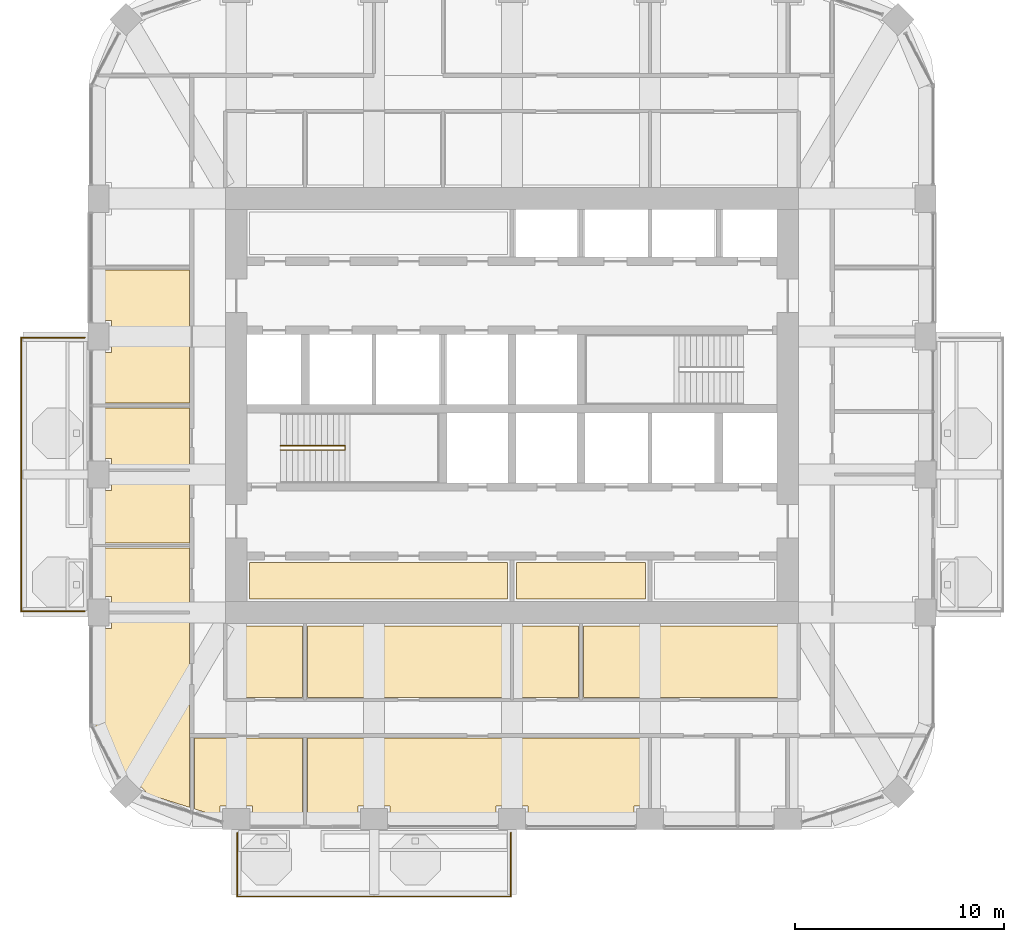
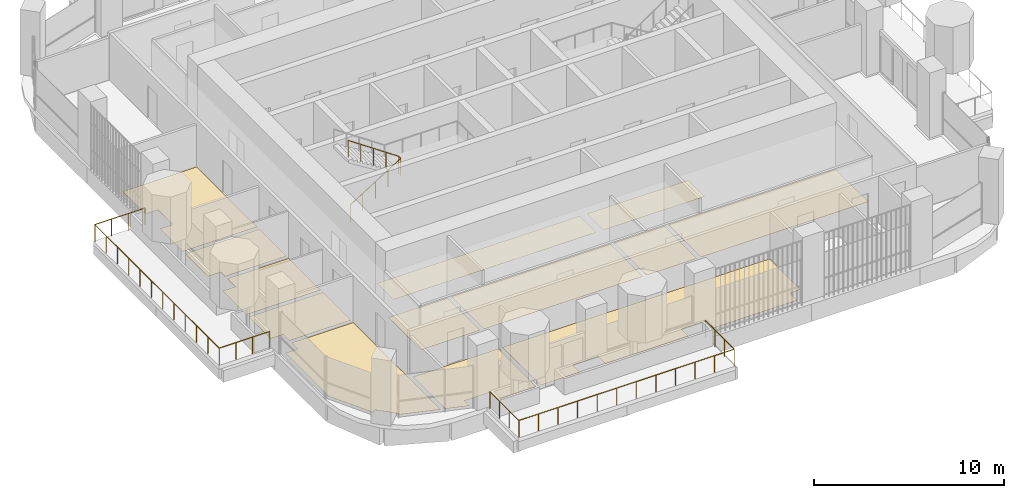
# One storey, part 16 of 19: 13 coverings, 3 railings.
"""IFC4 building model written with IfcOpenShell, lengths in metres."""

from ifc_helpers import new_model, si_unit, direction, frame, origin, place, context, subcontext, project, spatial, polyline, outline, extrude, material, layer, layer_set, type_object, element, save


model = new_model("IFC4")

# Units and contexts
model_context = context("Model", 3, precision=1e-05, world=origin(), true_north=direction((0.0, 1.0)))
body_context = subcontext(model_context, "Body", "Model", "MODEL_VIEW")
ifc_project = project(units=[si_unit("LENGTHUNIT", "METRE"), si_unit("AREAUNIT", "SQUARE_METRE"), si_unit("VOLUMEUNIT", "CUBIC_METRE"), si_unit("PLANEANGLEUNIT", "RADIAN"), si_unit("MASSUNIT", "GRAM", prefix="KILO")], contexts=[model_context])

# Site, building, storey
site_placement = place(None, origin())
site = spatial("IfcSite", under=ifc_project, at=site_placement, CompositionType="ELEMENT")
building_placement = place(site_placement, origin())
building = spatial("IfcBuilding", under=site, at=building_placement, Name="Cobogo Forest Laboratory Tower", CompositionType="ELEMENT")
storey_placement = place(building_placement, frame((0.0, 0.0, 237.60009765625)))
storey = spatial("IfcBuildingStorey", under=building, at=storey_placement, Name="L54", CompositionType="ELEMENT", Elevation=237.60009765625)

# Railings
ifc_material_1 = material(Name="Laminated glass balustrade", Category="glass")
railing_type_1 = type_object("IfcRailingType", Name="BG1 glass balustrade 1100", PredefinedType="GUARDRAIL", material=ifc_material_1)
railing_1_placement = place(storey_placement, frame((13.25, 2.64990234375, 0.0)))
element("IfcRailing", 1, at=railing_1_placement, inside=storey, type_object=railing_type_1, Name="Balcony balustrade BAL-S1 L54", PredefinedType="GUARDRAIL", context=body_context, shape_type="SweptSolid", body=[
    extrude(outline(polyline([(0.022216796875, 0.00927734375), (0.00927734375, 0.022216796875), (-0.00927734375, 0.022216796875), (-0.022216796875, 0.00927734375), (-0.022216796875, -0.00927734375), (-0.00927734375, -0.022216796875), (0.00927734375, -0.022216796875), (0.022216796875, -0.00927734375), (0.022216796875, 0.00927734375)])), frame((0.0, 0.0, 1.077880859375), z_axis=(0.0, -1.0, 0.0), x_axis=(1.0, 0.0, 0.0)), (0.0, 0.0, 1.0), 3.0498046875),
    extrude(outline(polyline([(0.022216796875, 0.00927734375), (0.00927734375, 0.022216796875), (-0.00927734375, 0.022216796875), (-0.022216796875, 0.00927734375), (-0.022216796875, -0.00927734375), (-0.00927734375, -0.022216796875), (0.00927734375, -0.022216796875), (0.022216796875, -0.00927734375), (0.022216796875, 0.00927734375)])), frame((0.0, -3.0498046875, 1.077880859375), z_axis=(1.0, 0.0, 0.0), x_axis=(0.0, 1.0, 0.0)), (0.0, 0.0, 1.0), 13.10009765625),
    extrude(outline(polyline([(0.022216796875, 0.00927734375), (0.00927734375, 0.022216796875), (-0.00927734375, 0.022216796875), (-0.022216796875, 0.00927734375), (-0.022216796875, -0.00927734375), (-0.00927734375, -0.022216796875), (0.00927734375, -0.022216796875), (0.022216796875, -0.00927734375), (0.022216796875, 0.00927734375)])), frame((13.10009765625, -3.0498046875, 1.077880859375), z_axis=(0.0, 1.0, 0.0), x_axis=(-1.0, 0.0, 0.0)), (0.0, 0.0, 1.0), 3.0498046875),
    extrude(outline(polyline([(0.019287109375, 0.008056640625), (0.008056640625, 0.019287109375), (-0.008056640625, 0.019287109375), (-0.019287109375, 0.008056640625), (-0.019287109375, -0.008056640625), (-0.008056640625, -0.019287109375), (0.008056640625, -0.019287109375), (0.019287109375, -0.008056640625), (0.019287109375, 0.008056640625)])), origin(), (0.0, 0.0, 1.0), 1.077880859375),
    extrude(outline(polyline([(0.019287109375, 0.008056640625), (0.008056640625, 0.019287109375), (-0.008056640625, 0.019287109375), (-0.019287109375, 0.008056640625), (-0.019287109375, -0.008056640625), (-0.008056640625, -0.019287109375), (0.008056640625, -0.019287109375), (0.019287109375, -0.008056640625), (0.019287109375, 0.008056640625)])), frame((0.0, -1.0166015625, 0.0)), (0.0, 0.0, 1.0), 1.077880859375),
    extrude(outline(polyline([(0.019287109375, 0.008056640625), (0.008056640625, 0.019287109375), (-0.008056640625, 0.019287109375), (-0.019287109375, 0.008056640625), (-0.019287109375, -0.008056640625), (-0.008056640625, -0.019287109375), (0.008056640625, -0.019287109375), (0.019287109375, -0.008056640625), (0.019287109375, 0.008056640625)])), frame((0.0, -2.033203125, 0.0)), (0.0, 0.0, 1.0), 1.077880859375),
    extrude(outline(polyline([(0.019287109375, 0.008056640625), (0.008056640625, 0.019287109375), (-0.008056640625, 0.019287109375), (-0.019287109375, 0.008056640625), (-0.019287109375, -0.008056640625), (-0.008056640625, -0.019287109375), (0.008056640625, -0.019287109375), (0.019287109375, -0.008056640625), (0.019287109375, 0.008056640625)])), frame((0.0, -3.0498046875, 0.0)), (0.0, 0.0, 1.0), 1.077880859375),
    extrude(outline(polyline([(0.019287109375, 0.008056640625), (0.008056640625, 0.019287109375), (-0.008056640625, 0.019287109375), (-0.019287109375, 0.008056640625), (-0.019287109375, -0.008056640625), (-0.008056640625, -0.019287109375), (0.008056640625, -0.019287109375), (0.019287109375, -0.008056640625), (0.019287109375, 0.008056640625)])), frame((1.19091796875, -3.0498046875, 0.0)), (0.0, 0.0, 1.0), 1.077880859375),
    extrude(outline(polyline([(0.019287109375, 0.008056640625), (0.008056640625, 0.019287109375), (-0.008056640625, 0.019287109375), (-0.019287109375, 0.008056640625), (-0.019287109375, -0.008056640625), (-0.008056640625, -0.019287109375), (0.008056640625, -0.019287109375), (0.019287109375, -0.008056640625), (0.019287109375, 0.008056640625)])), frame((2.3818359375, -3.0498046875, 0.0)), (0.0, 0.0, 1.0), 1.077880859375),
    extrude(outline(polyline([(0.019287109375, 0.008056640625), (0.008056640625, 0.019287109375), (-0.008056640625, 0.019287109375), (-0.019287109375, 0.008056640625), (-0.019287109375, -0.008056640625), (-0.008056640625, -0.019287109375), (0.008056640625, -0.019287109375), (0.019287109375, -0.008056640625), (0.019287109375, 0.008056640625)])), frame((3.57275390625, -3.0498046875, 0.0)), (0.0, 0.0, 1.0), 1.077880859375),
    extrude(outline(polyline([(0.019287109375, 0.008056640625), (0.008056640625, 0.019287109375), (-0.008056640625, 0.019287109375), (-0.019287109375, 0.008056640625), (-0.019287109375, -0.008056640625), (-0.008056640625, -0.019287109375), (0.008056640625, -0.019287109375), (0.019287109375, -0.008056640625), (0.019287109375, 0.008056640625)])), frame((4.763671875, -3.0498046875, 0.0)), (0.0, 0.0, 1.0), 1.077880859375),
    extrude(outline(polyline([(0.019287109375, 0.008056640625), (0.008056640625, 0.019287109375), (-0.008056640625, 0.019287109375), (-0.019287109375, 0.008056640625), (-0.019287109375, -0.008056640625), (-0.008056640625, -0.019287109375), (0.008056640625, -0.019287109375), (0.019287109375, -0.008056640625), (0.019287109375, 0.008056640625)])), frame((5.95458984375, -3.0498046875, 0.0)), (0.0, 0.0, 1.0), 1.077880859375),
    extrude(outline(polyline([(0.019287109375, 0.008056640625), (0.008056640625, 0.019287109375), (-0.008056640625, 0.019287109375), (-0.019287109375, 0.008056640625), (-0.019287109375, -0.008056640625), (-0.008056640625, -0.019287109375), (0.008056640625, -0.019287109375), (0.019287109375, -0.008056640625), (0.019287109375, 0.008056640625)])), frame((7.1455078125, -3.0498046875, 0.0)), (0.0, 0.0, 1.0), 1.077880859375),
    extrude(outline(polyline([(0.019287109375, 0.008056640625), (0.008056640625, 0.019287109375), (-0.008056640625, 0.019287109375), (-0.019287109375, 0.008056640625), (-0.019287109375, -0.008056640625), (-0.008056640625, -0.019287109375), (0.008056640625, -0.019287109375), (0.019287109375, -0.008056640625), (0.019287109375, 0.008056640625)])), frame((8.33642578125, -3.0498046875, 0.0)), (0.0, 0.0, 1.0), 1.077880859375),
    extrude(outline(polyline([(0.019287109375, 0.008056640625), (0.008056640625, 0.019287109375), (-0.008056640625, 0.019287109375), (-0.019287109375, 0.008056640625), (-0.019287109375, -0.008056640625), (-0.008056640625, -0.019287109375), (0.008056640625, -0.019287109375), (0.019287109375, -0.008056640625), (0.019287109375, 0.008056640625)])), frame((9.52734375, -3.0498046875, 0.0)), (0.0, 0.0, 1.0), 1.077880859375),
    extrude(outline(polyline([(0.019287109375, 0.008056640625), (0.008056640625, 0.019287109375), (-0.008056640625, 0.019287109375), (-0.019287109375, 0.008056640625), (-0.019287109375, -0.008056640625), (-0.008056640625, -0.019287109375), (0.008056640625, -0.019287109375), (0.019287109375, -0.008056640625), (0.019287109375, 0.008056640625)])), frame((10.71826171875, -3.0498046875, 0.0)), (0.0, 0.0, 1.0), 1.077880859375),
    extrude(outline(polyline([(0.019287109375, 0.008056640625), (0.008056640625, 0.019287109375), (-0.008056640625, 0.019287109375), (-0.019287109375, 0.008056640625), (-0.019287109375, -0.008056640625), (-0.008056640625, -0.019287109375), (0.008056640625, -0.019287109375), (0.019287109375, -0.008056640625), (0.019287109375, 0.008056640625)])), frame((11.9091796875, -3.0498046875, 0.0)), (0.0, 0.0, 1.0), 1.077880859375),
    extrude(outline(polyline([(0.019287109375, 0.008056640625), (0.008056640625, 0.019287109375), (-0.008056640625, 0.019287109375), (-0.019287109375, 0.008056640625), (-0.019287109375, -0.008056640625), (-0.008056640625, -0.019287109375), (0.008056640625, -0.019287109375), (0.019287109375, -0.008056640625), (0.019287109375, 0.008056640625)])), frame((13.10009765625, -3.0498046875, 0.0)), (0.0, 0.0, 1.0), 1.077880859375),
    extrude(outline(polyline([(0.019287109375, 0.008056640625), (0.008056640625, 0.019287109375), (-0.008056640625, 0.019287109375), (-0.019287109375, 0.008056640625), (-0.019287109375, -0.008056640625), (-0.008056640625, -0.019287109375), (0.008056640625, -0.019287109375), (0.019287109375, -0.008056640625), (0.019287109375, 0.008056640625)])), frame((13.10009765625, -2.033203125, 0.0)), (0.0, 0.0, 1.0), 1.077880859375),
    extrude(outline(polyline([(0.019287109375, 0.008056640625), (0.008056640625, 0.019287109375), (-0.008056640625, 0.019287109375), (-0.019287109375, 0.008056640625), (-0.019287109375, -0.008056640625), (-0.008056640625, -0.019287109375), (0.008056640625, -0.019287109375), (0.019287109375, -0.008056640625), (0.019287109375, 0.008056640625)])), frame((13.10009765625, -1.0166015625, 0.0)), (0.0, 0.0, 1.0), 1.077880859375),
    extrude(outline(polyline([(0.019287109375, 0.008056640625), (0.008056640625, 0.019287109375), (-0.008056640625, 0.019287109375), (-0.019287109375, 0.008056640625), (-0.019287109375, -0.008056640625), (-0.008056640625, -0.019287109375), (0.008056640625, -0.019287109375), (0.019287109375, -0.008056640625), (0.019287109375, 0.008056640625)])), frame((13.10009765625, 0.0, 0.0)), (0.0, 0.0, 1.0), 1.077880859375),
])
railing_2_placement = place(storey_placement, frame((5.949951171875, 13.25, 0.0)))
element("IfcRailing", 2, at=railing_2_placement, inside=storey, type_object=railing_type_1, Name="Balcony balustrade BAL-W1 L54", PredefinedType="GUARDRAIL", context=body_context, shape_type="SweptSolid", body=[
    extrude(outline(polyline([(0.022216796875, 0.00927734375), (0.00927734375, 0.022216796875), (-0.00927734375, 0.022216796875), (-0.022216796875, 0.00927734375), (-0.022216796875, -0.00927734375), (-0.00927734375, -0.022216796875), (0.00927734375, -0.022216796875), (0.022216796875, -0.00927734375), (0.022216796875, 0.00927734375)])), frame((0.0, 0.0, 1.077880859375), z_axis=(-1.0, 0.0, 0.0), x_axis=(0.0, -1.0, 0.0)), (0.0, 0.0, 1.0), 3.050048828125),
    extrude(outline(polyline([(0.022216796875, 0.00927734375), (0.00927734375, 0.022216796875), (-0.00927734375, 0.022216796875), (-0.022216796875, 0.00927734375), (-0.022216796875, -0.00927734375), (-0.00927734375, -0.022216796875), (0.00927734375, -0.022216796875), (0.022216796875, -0.00927734375), (0.022216796875, 0.00927734375)])), frame((-3.050048828125, 0.0, 1.077880859375), z_axis=(0.0, 1.0, 0.0), x_axis=(-1.0, 0.0, 0.0)), (0.0, 0.0, 1.0), 13.10009765625),
    extrude(outline(polyline([(0.022216796875, 0.00927734375), (0.00927734375, 0.022216796875), (-0.00927734375, 0.022216796875), (-0.022216796875, 0.00927734375), (-0.022216796875, -0.00927734375), (-0.00927734375, -0.022216796875), (0.00927734375, -0.022216796875), (0.022216796875, -0.00927734375), (0.022216796875, 0.00927734375)])), frame((-3.050048828125, 13.10009765625, 1.077880859375), z_axis=(1.0, 0.0, 0.0), x_axis=(0.0, 1.0, 0.0)), (0.0, 0.0, 1.0), 3.050048828125),
    extrude(outline(polyline([(0.019287109375, 0.008056640625), (0.008056640625, 0.019287109375), (-0.008056640625, 0.019287109375), (-0.019287109375, 0.008056640625), (-0.019287109375, -0.008056640625), (-0.008056640625, -0.019287109375), (0.008056640625, -0.019287109375), (0.019287109375, -0.008056640625), (0.019287109375, 0.008056640625)])), origin(), (0.0, 0.0, 1.0), 1.077880859375),
    extrude(outline(polyline([(0.019287109375, 0.008056640625), (0.008056640625, 0.019287109375), (-0.008056640625, 0.019287109375), (-0.019287109375, 0.008056640625), (-0.019287109375, -0.008056640625), (-0.008056640625, -0.019287109375), (0.008056640625, -0.019287109375), (0.019287109375, -0.008056640625), (0.019287109375, 0.008056640625)])), frame((-1.0166015625, 0.0, 0.0)), (0.0, 0.0, 1.0), 1.077880859375),
    extrude(outline(polyline([(0.019287109375, 0.008056640625), (0.008056640625, 0.019287109375), (-0.008056640625, 0.019287109375), (-0.019287109375, 0.008056640625), (-0.019287109375, -0.008056640625), (-0.008056640625, -0.019287109375), (0.008056640625, -0.019287109375), (0.019287109375, -0.008056640625), (0.019287109375, 0.008056640625)])), frame((-2.033447265625, 0.0, 0.0)), (0.0, 0.0, 1.0), 1.077880859375),
    extrude(outline(polyline([(0.019287109375, 0.008056640625), (0.008056640625, 0.019287109375), (-0.008056640625, 0.019287109375), (-0.019287109375, 0.008056640625), (-0.019287109375, -0.008056640625), (-0.008056640625, -0.019287109375), (0.008056640625, -0.019287109375), (0.019287109375, -0.008056640625), (0.019287109375, 0.008056640625)])), frame((-3.050048828125, 0.0, 0.0)), (0.0, 0.0, 1.0), 1.077880859375),
    extrude(outline(polyline([(0.019287109375, 0.008056640625), (0.008056640625, 0.019287109375), (-0.008056640625, 0.019287109375), (-0.019287109375, 0.008056640625), (-0.019287109375, -0.008056640625), (-0.008056640625, -0.019287109375), (0.008056640625, -0.019287109375), (0.019287109375, -0.008056640625), (0.019287109375, 0.008056640625)])), frame((-3.050048828125, 1.19091796875, 0.0)), (0.0, 0.0, 1.0), 1.077880859375),
    extrude(outline(polyline([(0.019287109375, 0.008056640625), (0.008056640625, 0.019287109375), (-0.008056640625, 0.019287109375), (-0.019287109375, 0.008056640625), (-0.019287109375, -0.008056640625), (-0.008056640625, -0.019287109375), (0.008056640625, -0.019287109375), (0.019287109375, -0.008056640625), (0.019287109375, 0.008056640625)])), frame((-3.050048828125, 2.3818359375, 0.0)), (0.0, 0.0, 1.0), 1.077880859375),
    extrude(outline(polyline([(0.019287109375, 0.008056640625), (0.008056640625, 0.019287109375), (-0.008056640625, 0.019287109375), (-0.019287109375, 0.008056640625), (-0.019287109375, -0.008056640625), (-0.008056640625, -0.019287109375), (0.008056640625, -0.019287109375), (0.019287109375, -0.008056640625), (0.019287109375, 0.008056640625)])), frame((-3.050048828125, 3.57275390625, 0.0)), (0.0, 0.0, 1.0), 1.077880859375),
    extrude(outline(polyline([(0.019287109375, 0.008056640625), (0.008056640625, 0.019287109375), (-0.008056640625, 0.019287109375), (-0.019287109375, 0.008056640625), (-0.019287109375, -0.008056640625), (-0.008056640625, -0.019287109375), (0.008056640625, -0.019287109375), (0.019287109375, -0.008056640625), (0.019287109375, 0.008056640625)])), frame((-3.050048828125, 4.763671875, 0.0)), (0.0, 0.0, 1.0), 1.077880859375),
    extrude(outline(polyline([(0.019287109375, 0.008056640625), (0.008056640625, 0.019287109375), (-0.008056640625, 0.019287109375), (-0.019287109375, 0.008056640625), (-0.019287109375, -0.008056640625), (-0.008056640625, -0.019287109375), (0.008056640625, -0.019287109375), (0.019287109375, -0.008056640625), (0.019287109375, 0.008056640625)])), frame((-3.050048828125, 5.95458984375, 0.0)), (0.0, 0.0, 1.0), 1.077880859375),
    extrude(outline(polyline([(0.019287109375, 0.008056640625), (0.008056640625, 0.019287109375), (-0.008056640625, 0.019287109375), (-0.019287109375, 0.008056640625), (-0.019287109375, -0.008056640625), (-0.008056640625, -0.019287109375), (0.008056640625, -0.019287109375), (0.019287109375, -0.008056640625), (0.019287109375, 0.008056640625)])), frame((-3.050048828125, 7.1455078125, 0.0)), (0.0, 0.0, 1.0), 1.077880859375),
    extrude(outline(polyline([(0.019287109375, 0.008056640625), (0.008056640625, 0.019287109375), (-0.008056640625, 0.019287109375), (-0.019287109375, 0.008056640625), (-0.019287109375, -0.008056640625), (-0.008056640625, -0.019287109375), (0.008056640625, -0.019287109375), (0.019287109375, -0.008056640625), (0.019287109375, 0.008056640625)])), frame((-3.050048828125, 8.33642578125, 0.0)), (0.0, 0.0, 1.0), 1.077880859375),
    extrude(outline(polyline([(0.019287109375, 0.008056640625), (0.008056640625, 0.019287109375), (-0.008056640625, 0.019287109375), (-0.019287109375, 0.008056640625), (-0.019287109375, -0.008056640625), (-0.008056640625, -0.019287109375), (0.008056640625, -0.019287109375), (0.019287109375, -0.008056640625), (0.019287109375, 0.008056640625)])), frame((-3.050048828125, 9.52734375, 0.0)), (0.0, 0.0, 1.0), 1.077880859375),
    extrude(outline(polyline([(0.019287109375, 0.008056640625), (0.008056640625, 0.019287109375), (-0.008056640625, 0.019287109375), (-0.019287109375, 0.008056640625), (-0.019287109375, -0.008056640625), (-0.008056640625, -0.019287109375), (0.008056640625, -0.019287109375), (0.019287109375, -0.008056640625), (0.019287109375, 0.008056640625)])), frame((-3.050048828125, 10.71826171875, 0.0)), (0.0, 0.0, 1.0), 1.077880859375),
    extrude(outline(polyline([(0.019287109375, 0.008056640625), (0.008056640625, 0.019287109375), (-0.008056640625, 0.019287109375), (-0.019287109375, 0.008056640625), (-0.019287109375, -0.008056640625), (-0.008056640625, -0.019287109375), (0.008056640625, -0.019287109375), (0.019287109375, -0.008056640625), (0.019287109375, 0.008056640625)])), frame((-3.050048828125, 11.9091796875, 0.0)), (0.0, 0.0, 1.0), 1.077880859375),
    extrude(outline(polyline([(0.019287109375, 0.008056640625), (0.008056640625, 0.019287109375), (-0.008056640625, 0.019287109375), (-0.019287109375, 0.008056640625), (-0.019287109375, -0.008056640625), (-0.008056640625, -0.019287109375), (0.008056640625, -0.019287109375), (0.019287109375, -0.008056640625), (0.019287109375, 0.008056640625)])), frame((-3.050048828125, 13.10009765625, 0.0)), (0.0, 0.0, 1.0), 1.077880859375),
    extrude(outline(polyline([(0.019287109375, 0.008056640625), (0.008056640625, 0.019287109375), (-0.008056640625, 0.019287109375), (-0.019287109375, 0.008056640625), (-0.019287109375, -0.008056640625), (-0.008056640625, -0.019287109375), (0.008056640625, -0.019287109375), (0.019287109375, -0.008056640625), (0.019287109375, 0.008056640625)])), frame((-2.033447265625, 13.10009765625, 0.0)), (0.0, 0.0, 1.0), 1.077880859375),
    extrude(outline(polyline([(0.019287109375, 0.008056640625), (0.008056640625, 0.019287109375), (-0.008056640625, 0.019287109375), (-0.019287109375, 0.008056640625), (-0.019287109375, -0.008056640625), (-0.008056640625, -0.019287109375), (0.008056640625, -0.019287109375), (0.019287109375, -0.008056640625), (0.019287109375, 0.008056640625)])), frame((-1.0166015625, 13.10009765625, 0.0)), (0.0, 0.0, 1.0), 1.077880859375),
    extrude(outline(polyline([(0.019287109375, 0.008056640625), (0.008056640625, 0.019287109375), (-0.008056640625, 0.019287109375), (-0.019287109375, 0.008056640625), (-0.019287109375, -0.008056640625), (-0.008056640625, -0.019287109375), (0.008056640625, -0.019287109375), (0.019287109375, -0.008056640625), (0.019287109375, 0.008056640625)])), frame((0.0, 13.10009765625, 0.0)), (0.0, 0.0, 1.0), 1.077880859375),
])

# Coverings
ifc_material_2 = material(Name="Carpet tile on raised access floor", Category="flooring")
ifc_layer_1 = layer(ifc_material_2, 0.008056640625)
ifc_layer_set_1 = layer_set([ifc_layer_1], Name="CT1 carpet tile floor 8")
covering_type_1 = type_object("IfcCoveringType", Name="CT1 carpet tile floor 8", PredefinedType="FLOORING", material=ifc_layer_set_1)
covering_1_placement = place(storey_placement, origin())
element("IfcCovering", 3, at=covering_1_placement, inside=storey, type_object=covering_type_1, Name="Carpet floor L54-05", PredefinedType="FLOORING", context=body_context, shape_type="SweptSolid", body=[
    extrude(outline(polyline([(16.3798828125, 9.1201171875), (12.794921875, 9.1201171875), (12.794921875, 12.554931640625), (16.3798828125, 12.554931640625), (16.3798828125, 9.1201171875)])), origin(), (0.0, 0.0, 1.0), 0.0078125),
])
covering_2_placement = place(storey_placement, origin())
element("IfcCovering", 4, at=covering_2_placement, inside=storey, type_object=covering_type_1, Name="Carpet floor L54-06", PredefinedType="FLOORING", context=body_context, shape_type="SweptSolid", body=[
    extrude(outline(polyline([(26.280029296875, 9.1201171875), (16.6201171875, 9.1201171875), (16.6201171875, 12.554931640625), (26.280029296875, 12.554931640625), (26.280029296875, 9.1201171875)])), origin(), (0.0, 0.0, 1.0), 0.0078125),
])
covering_3_placement = place(storey_placement, origin())
element("IfcCovering", 5, at=covering_3_placement, inside=storey, type_object=covering_type_1, Name="Carpet floor L54-07", PredefinedType="FLOORING", context=body_context, shape_type="SweptSolid", body=[
    extrude(outline(polyline([(29.580078125, 9.1201171875), (26.52001953125, 9.1201171875), (26.52001953125, 12.554931640625), (29.580078125, 12.554931640625), (29.580078125, 9.1201171875)])), origin(), (0.0, 0.0, 1.0), 0.0078125),
])
covering_4_placement = place(storey_placement, origin())
element("IfcCovering", 6, at=covering_4_placement, inside=storey, type_object=covering_type_1, Name="Carpet floor L54-08", PredefinedType="FLOORING", context=body_context, shape_type="SweptSolid", body=[
    extrude(outline(polyline([(40.0048828125, 9.1201171875), (29.820068359375, 9.1201171875), (29.820068359375, 12.554931640625), (40.0048828125, 12.554931640625), (40.0048828125, 9.1201171875)])), origin(), (0.0, 0.0, 1.0), 0.0078125),
])
covering_5_placement = place(storey_placement, origin())
element("IfcCovering", 7, at=covering_5_placement, inside=storey, type_object=covering_type_1, Name="Carpet floor L54-09", PredefinedType="FLOORING", context=body_context, shape_type="SweptSolid", body=[
    extrude(outline(polyline([(16.3798828125, 7.179931640625), (16.3798828125, 3.14990234375), (13.969970703125, 3.14990234375), (13.969970703125, 3.919921875), (12.429931640625, 3.919921875), (12.429931640625, 3.40283203125), (11.195068359375, 3.79296875), (11.195068359375, 7.179931640625), (16.3798828125, 7.179931640625)])), origin(), (0.0, 0.0, 1.0), 0.0078125),
])
covering_6_placement = place(storey_placement, origin())
element("IfcCovering", 8, at=covering_6_placement, inside=storey, type_object=covering_type_1, Name="Carpet floor L54-10", PredefinedType="FLOORING", context=body_context, shape_type="SweptSolid", body=[
    extrude(outline(polyline([(32.8798828125, 7.179931640625), (32.8798828125, 3.919921875), (32.22998046875, 3.919921875), (32.22998046875, 3.14990234375), (27.169921875, 3.14990234375), (27.169921875, 3.919921875), (25.6298828125, 3.919921875), (25.6298828125, 3.14990234375), (20.570068359375, 3.14990234375), (20.570068359375, 3.919921875), (19.030029296875, 3.919921875), (19.030029296875, 3.14990234375), (16.6201171875, 3.14990234375), (16.6201171875, 7.179931640625), (32.8798828125, 7.179931640625)])), origin(), (0.0, 0.0, 1.0), 0.0078125),
])
covering_7_placement = place(storey_placement, origin())
element("IfcCovering", 9, at=covering_7_placement, inside=storey, type_object=covering_type_1, Name="Carpet floor L54-23", PredefinedType="FLOORING", context=body_context, shape_type="SweptSolid", body=[
    extrude(outline(polyline([(8.797607421875, 4.550048828125), (8.865478515625, 4.617919921875), (7.91796875, 5.5654296875), (7.740234375, 5.387939453125), (6.449951171875, 7.84912109375), (6.449951171875, 12.429931640625), (7.219970703125, 12.429931640625), (7.219970703125, 13.080078125), (10.955078125, 13.080078125), (10.955078125, 3.86865234375), (8.797607421875, 4.550048828125)])), origin(), (0.0, 0.0, 1.0), 0.0078125),
])
covering_8_placement = place(storey_placement, origin())
element("IfcCovering", 10, at=covering_8_placement, inside=storey, type_object=covering_type_1, Name="Carpet floor L54-27", PredefinedType="FLOORING", context=body_context, shape_type="SweptSolid", body=[
    extrude(outline(polyline([(10.955078125, 23.219970703125), (6.449951171875, 23.219970703125), (6.449951171875, 25.6298828125), (7.219970703125, 25.6298828125), (7.219970703125, 27.169921875), (6.449951171875, 27.169921875), (6.449951171875, 29.580078125), (10.955078125, 29.580078125), (10.955078125, 23.219970703125)])), origin(), (0.0, 0.0, 1.0), 0.0078125),
])
covering_9_placement = place(storey_placement, origin())
element("IfcCovering", 11, at=covering_9_placement, inside=storey, type_object=covering_type_1, Name="Carpet floor L54-36", PredefinedType="FLOORING", context=body_context, shape_type="SweptSolid", body=[
    extrude(outline(polyline([(26.179931640625, 13.844970703125), (13.844970703125, 13.844970703125), (13.844970703125, 15.580078125), (26.179931640625, 15.580078125), (26.179931640625, 13.844970703125)])), origin(), (0.0, 0.0, 1.0), 0.0078125),
])
covering_10_placement = place(storey_placement, origin())
element("IfcCovering", 12, at=covering_10_placement, inside=storey, type_object=covering_type_1, Name="Carpet floor L54-37", PredefinedType="FLOORING", context=body_context, shape_type="SweptSolid", body=[
    extrude(outline(polyline([(32.780029296875, 13.844970703125), (26.6201171875, 13.844970703125), (26.6201171875, 15.580078125), (32.780029296875, 15.580078125), (32.780029296875, 13.844970703125)])), origin(), (0.0, 0.0, 1.0), 0.0078125),
])

# Railing
ifc_material_3 = material(Name="Steel balustrade", Category="steel")
railing_type_2 = type_object("IfcRailingType", Name="GR stair guard 1100", PredefinedType="GUARDRAIL", material=ifc_material_3)
railing_3_placement = place(storey_placement, frame((15.324951171875, 20.969970703125, 0.1748046875)))
element("IfcRailing", 13, at=railing_3_placement, inside=storey, type_object=railing_type_2, Name="Stair guard ST1 L54", PredefinedType="GUARDRAIL", context=body_context, shape_type="SweptSolid", body=[
    extrude(outline(polyline([(0.022216796875, 0.00927734375), (0.00927734375, 0.022216796875), (-0.00927734375, 0.022216796875), (-0.022216796875, 0.00927734375), (-0.022216796875, -0.00927734375), (-0.00927734375, -0.022216796875), (0.00927734375, -0.022216796875), (0.022216796875, -0.00927734375), (0.022216796875, 0.00927734375)])), frame((0.0, 0.0, 1.077880859375), z_axis=(0.847998304005, 0.0, 0.529998940003), x_axis=(0.0, 1.0, 0.0)), (0.0, 0.0, 1.0), 3.632080078125),
    extrude(outline(polyline([(0.022216796875, 0.00927734375), (0.00927734375, 0.022216796875), (-0.00927734375, 0.022216796875), (-0.022216796875, 0.00927734375), (-0.022216796875, -0.00927734375), (-0.00927734375, -0.022216796875), (0.00927734375, -0.022216796875), (0.022216796875, -0.00927734375), (0.022216796875, 0.00927734375)])), frame((3.080078125, 0.0, 3.0029296875), z_axis=(0.0, 1.0, 0.0), x_axis=(-1.0, 0.0, 0.0)), (0.0, 0.0, 1.0), 0.2099609375),
    extrude(outline(polyline([(0.022216796875, 0.00927734375), (0.00927734375, 0.022216796875), (-0.00927734375, 0.022216796875), (-0.022216796875, 0.00927734375), (-0.022216796875, -0.00927734375), (-0.00927734375, -0.022216796875), (0.00927734375, -0.022216796875), (0.022216796875, -0.00927734375), (0.022216796875, 0.00927734375)])), frame((3.080078125, 0.2099609375, 3.0029296875), z_axis=(-0.826221800596, 0.0, 0.563344953133), x_axis=(0.0, -1.0, 0.0)), (0.0, 0.0, 1.0), 3.72802734375),
    extrude(outline(polyline([(0.019287109375, 0.008056640625), (0.008056640625, 0.019287109375), (-0.008056640625, 0.019287109375), (-0.019287109375, 0.008056640625), (-0.019287109375, -0.008056640625), (-0.008056640625, -0.019287109375), (0.008056640625, -0.019287109375), (0.019287109375, -0.008056640625), (0.019287109375, 0.008056640625)])), origin(), (0.0, 0.0, 1.0), 1.077880859375),
    extrude(outline(polyline([(0.019287109375, 0.008056640625), (0.008056640625, 0.019287109375), (-0.008056640625, 0.019287109375), (-0.019287109375, 0.008056640625), (-0.019287109375, -0.008056640625), (-0.008056640625, -0.019287109375), (0.008056640625, -0.019287109375), (0.019287109375, -0.008056640625), (0.019287109375, 0.008056640625)])), frame((0.77001953125, 0.0, 0.481201171875)), (0.0, 0.0, 1.0), 1.077880859375),
    extrude(outline(polyline([(0.019287109375, 0.008056640625), (0.008056640625, 0.019287109375), (-0.008056640625, 0.019287109375), (-0.019287109375, 0.008056640625), (-0.019287109375, -0.008056640625), (-0.008056640625, -0.019287109375), (0.008056640625, -0.019287109375), (0.019287109375, -0.008056640625), (0.019287109375, 0.008056640625)])), frame((1.5400390625, 0.0, 0.96240234375)), (0.0, 0.0, 1.0), 1.077880859375),
    extrude(outline(polyline([(0.019287109375, 0.008056640625), (0.008056640625, 0.019287109375), (-0.008056640625, 0.019287109375), (-0.019287109375, 0.008056640625), (-0.019287109375, -0.008056640625), (-0.008056640625, -0.019287109375), (0.008056640625, -0.019287109375), (0.019287109375, -0.008056640625), (0.019287109375, 0.008056640625)])), frame((2.31005859375, 0.0, 1.44384765625)), (0.0, 0.0, 1.0), 1.077880859375),
    extrude(outline(polyline([(0.019287109375, 0.008056640625), (0.008056640625, 0.019287109375), (-0.008056640625, 0.019287109375), (-0.019287109375, 0.008056640625), (-0.019287109375, -0.008056640625), (-0.008056640625, -0.019287109375), (0.008056640625, -0.019287109375), (0.019287109375, -0.008056640625), (0.019287109375, 0.008056640625)])), frame((3.080078125, 0.0, 1.925048828125)), (0.0, 0.0, 1.0), 1.077880859375),
    extrude(outline(polyline([(0.019287109375, 0.008056640625), (0.008056640625, 0.019287109375), (-0.008056640625, 0.019287109375), (-0.019287109375, 0.008056640625), (-0.019287109375, -0.008056640625), (-0.008056640625, -0.019287109375), (0.008056640625, -0.019287109375), (0.019287109375, -0.008056640625), (0.019287109375, 0.008056640625)])), frame((3.080078125, 0.2099609375, 1.925048828125)), (0.0, 0.0, 1.0), 1.077880859375),
    extrude(outline(polyline([(0.019287109375, 0.008056640625), (0.008056640625, 0.019287109375), (-0.008056640625, 0.019287109375), (-0.019287109375, 0.008056640625), (-0.019287109375, -0.008056640625), (-0.008056640625, -0.019287109375), (0.008056640625, -0.019287109375), (0.019287109375, -0.008056640625), (0.019287109375, 0.008056640625)])), frame((2.31005859375, 0.2099609375, 2.4501953125)), (0.0, 0.0, 1.0), 1.077880859375),
    extrude(outline(polyline([(0.019287109375, 0.008056640625), (0.008056640625, 0.019287109375), (-0.008056640625, 0.019287109375), (-0.019287109375, 0.008056640625), (-0.019287109375, -0.008056640625), (-0.008056640625, -0.019287109375), (0.008056640625, -0.019287109375), (0.019287109375, -0.008056640625), (0.019287109375, 0.008056640625)])), frame((1.5400390625, 0.2099609375, 2.97509765625)), (0.0, 0.0, 1.0), 1.077880859375),
    extrude(outline(polyline([(0.019287109375, 0.008056640625), (0.008056640625, 0.019287109375), (-0.008056640625, 0.019287109375), (-0.019287109375, 0.008056640625), (-0.019287109375, -0.008056640625), (-0.008056640625, -0.019287109375), (0.008056640625, -0.019287109375), (0.019287109375, -0.008056640625), (0.019287109375, 0.008056640625)])), frame((0.77001953125, 0.2099609375, 3.5)), (0.0, 0.0, 1.0), 1.077880859375),
    extrude(outline(polyline([(0.019287109375, 0.008056640625), (0.008056640625, 0.019287109375), (-0.008056640625, 0.019287109375), (-0.019287109375, 0.008056640625), (-0.019287109375, -0.008056640625), (-0.008056640625, -0.019287109375), (0.008056640625, -0.019287109375), (0.019287109375, -0.008056640625), (0.019287109375, 0.008056640625)])), frame((0.0, 0.2099609375, 4.025146484375)), (0.0, 0.0, 1.0), 1.077880859375),
])

# Coverings
ifc_material_4 = material(Name="Ceramic floor tile", Category="flooring")
ifc_layer_2 = layer(ifc_material_4, 0.010009765625)
ifc_layer_set_2 = layer_set([ifc_layer_2], Name="TF1 ceramic tile floor 10")
covering_type_2 = type_object("IfcCoveringType", Name="TF1 ceramic tile floor 10", PredefinedType="FLOORING", material=ifc_layer_set_2)
covering_11_placement = place(storey_placement, origin())
element("IfcCovering", 14, at=covering_11_placement, inside=storey, type_object=covering_type_2, Name="Tile floor L54-24", PredefinedType="FLOORING", context=body_context, shape_type="SweptSolid", body=[
    extrude(outline(polyline([(10.955078125, 13.320068359375), (7.219970703125, 13.320068359375), (7.219970703125, 13.969970703125), (6.449951171875, 13.969970703125), (6.449951171875, 16.280029296875), (10.955078125, 16.280029296875), (10.955078125, 13.320068359375)])), origin(), (0.0, 0.0, 1.0), 0.010009765625),
])
covering_12_placement = place(storey_placement, origin())
element("IfcCovering", 15, at=covering_12_placement, inside=storey, type_object=covering_type_2, Name="Tile floor L54-25", PredefinedType="FLOORING", context=body_context, shape_type="SweptSolid", body=[
    extrude(outline(polyline([(10.955078125, 16.52001953125), (6.449951171875, 16.52001953125), (6.449951171875, 19.030029296875), (7.219970703125, 19.030029296875), (7.219970703125, 19.8798828125), (10.955078125, 19.8798828125), (10.955078125, 16.52001953125)])), origin(), (0.0, 0.0, 1.0), 0.010009765625),
])
covering_13_placement = place(storey_placement, origin())
element("IfcCovering", 16, at=covering_13_placement, inside=storey, type_object=covering_type_2, Name="Tile floor L54-26", PredefinedType="FLOORING", context=body_context, shape_type="SweptSolid", body=[
    extrude(outline(polyline([(10.955078125, 20.1201171875), (7.219970703125, 20.1201171875), (7.219970703125, 20.570068359375), (6.449951171875, 20.570068359375), (6.449951171875, 22.97998046875), (10.955078125, 22.97998046875), (10.955078125, 20.1201171875)])), origin(), (0.0, 0.0, 1.0), 0.010009765625),
])

save(model, "model.ifc")
